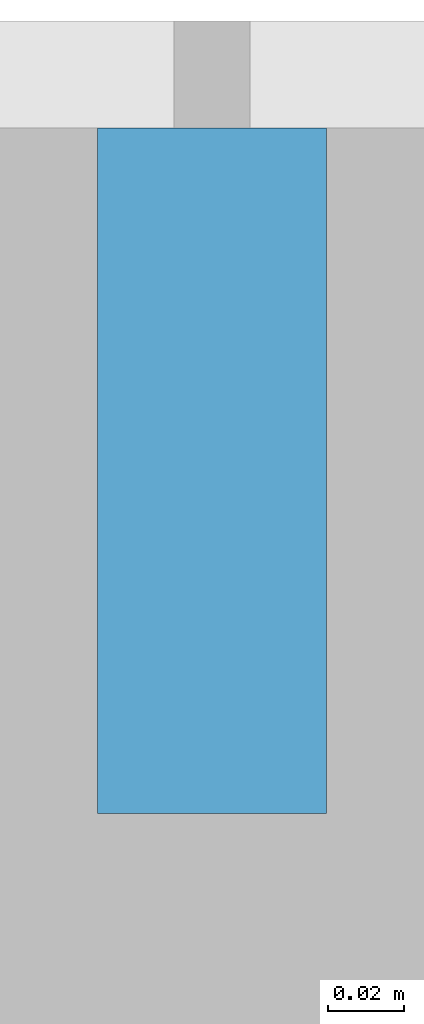
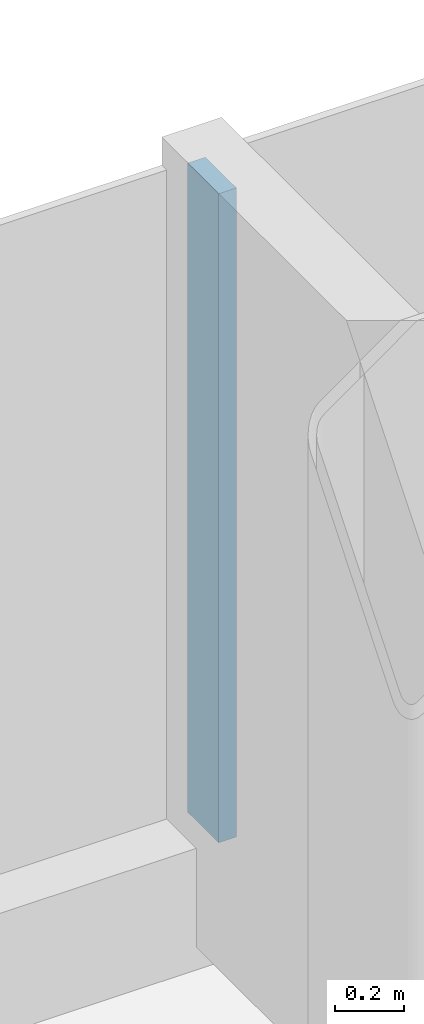
# One storey, part 7 of 26: 1 member, 1 element without a shape of its own.
"""IFC4 building model written with IfcOpenShell, lengths in metres."""

from ifc_helpers import new_model, si_unit, direction, frame, origin, origin_2d, place, context, subcontext, project, spatial, rectangle, extrude, material, layer, layer_set, material_profile, profile_set, type_object, element, aggregate, save


model = new_model("IFC4")

# Units and contexts
model_context = context("Model", 3, precision=1e-05, world=origin(), true_north=direction((0.0, 1.0)))
body_context = subcontext(model_context, "Body", "Model", "MODEL_VIEW")
ifc_project = project(units=[si_unit("LENGTHUNIT", "METRE"), si_unit("AREAUNIT", "SQUARE_METRE"), si_unit("VOLUMEUNIT", "CUBIC_METRE"), si_unit("PLANEANGLEUNIT", "RADIAN"), si_unit("MASSUNIT", "GRAM", prefix="KILO")], contexts=[model_context])

# Site, building, storey
site_placement = place(None, origin())
site = spatial("IfcSite", under=ifc_project, at=site_placement, CompositionType="ELEMENT")
building_placement = place(site_placement, origin())
building = spatial("IfcBuilding", under=site, at=building_placement, Name="Hakoniwa Tower and Hamabe Station Hall", CompositionType="ELEMENT")
storey_placement = place(building_placement, frame((0.0, 0.0, 196.199951171875)))
storey = spatial("IfcBuildingStorey", under=building, at=storey_placement, Name="L55", CompositionType="ELEMENT", Elevation=196.199951171875)

# Curtain wall, member
ifc_material_1 = material(Name="Dark low-e laminated glass", Category="glass")
ifc_layer = layer(ifc_material_1, 0.199951171875)
ifc_layer_set = layer_set([ifc_layer], Name="CW-1 UNITISED GUEST")
curtain_wall_type = type_object("IfcCurtainWallType", Name="CW-1 UNITISED GUEST", PredefinedType="NOTDEFINED", material=ifc_layer_set)
curtain_wall_placement = place(storey_placement, origin())
curtain_wall = element("IfcCurtainWall", 1, at=curtain_wall_placement, inside=storey, type_object=curtain_wall_type, Name="CW-1 curtain wall", PredefinedType="NOTDEFINED")
ifc_material_2 = material(Name="Aluminium 6063-T5 black anodised", Category="aluminium")
ifc_material_profile = material_profile(ifc_material_2, rectangle(XDim=0.06005859375, YDim=0.179931640625, at=origin_2d()), Name="CW-1 MULLION 60X180")
ifc_profile_set = profile_set([ifc_material_profile], Name="Aluminium 6063-T5 black anodised")
member_type = type_object("IfcMemberType", Name="CW-1 MULLION 60X180", PredefinedType="MULLION", material=ifc_profile_set)
member_placement = place(storey_placement, frame((0.0, 20.431884765625, 0.35009765625), z_axis=(0.0, 0.0, 1.0), x_axis=(-1.0, 0.0, 0.0)))
member = element("IfcMember", 2, at=member_placement, type_object=member_type, Name="CW-1 mullion", PredefinedType="MULLION", context=body_context, shape_type="SweptSolid", body=[
    extrude(rectangle(XDim=0.06005859375, YDim=0.179931640625, at=origin_2d()), origin(), (0.0, 0.0, 1.0), 2.300048828125),
])
aggregate(curtain_wall, [member])

save(model, "model.ifc")
